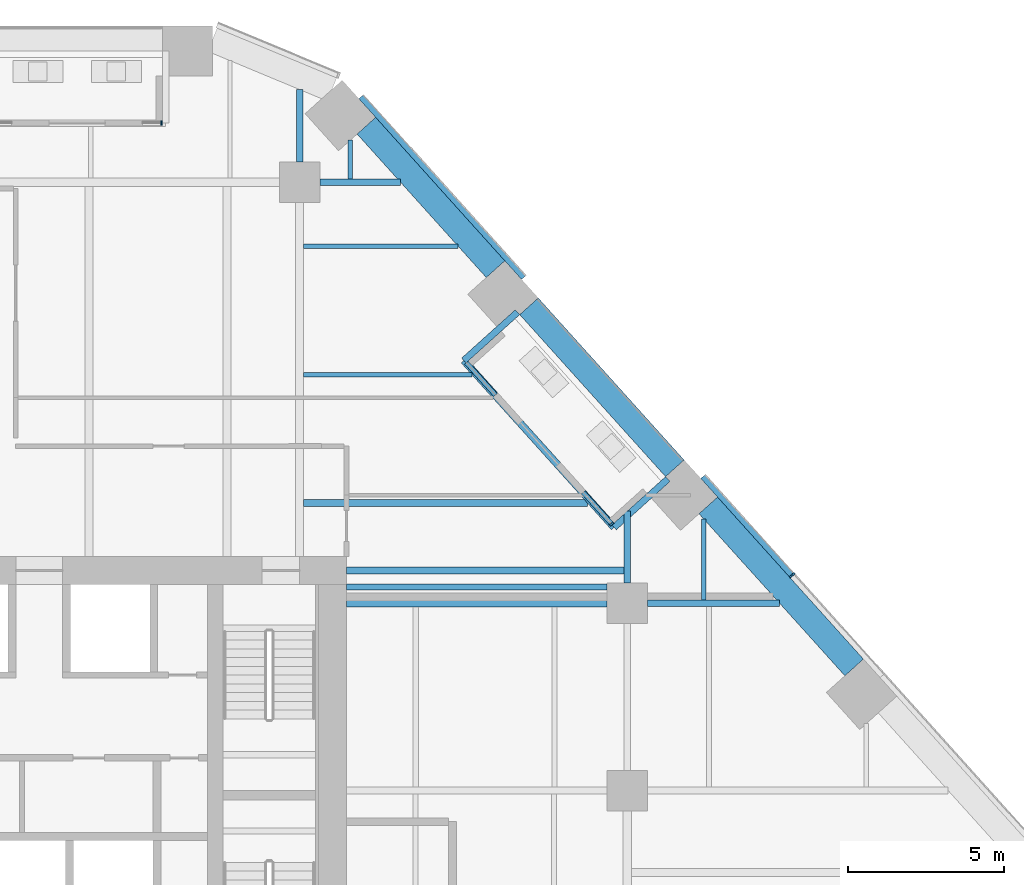
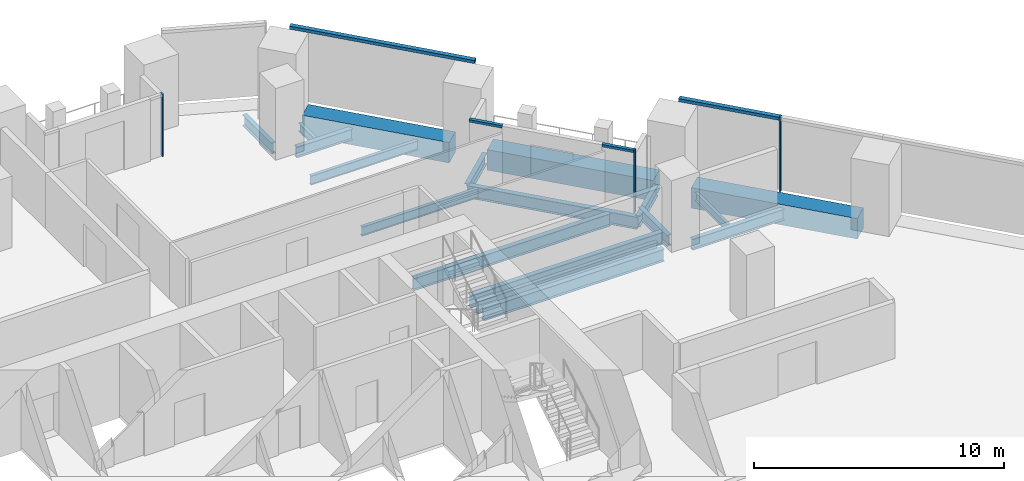
# One storey, part 12 of 28: 18 beams, 7 members, 3 elements without a shape of their own.
"""IFC4 building model written with IfcOpenShell, lengths in metres."""

from ifc_helpers import new_model, si_unit, direction, frame, origin, origin_2d, place, context, subcontext, project, spatial, rectangle, i_section, extrude, material, layer, layer_set, material_profile, profile_set, type_object, element, aggregate, save


model = new_model("IFC4")

# Units and contexts
model_context = context("Model", 3, precision=1e-05, world=origin(), true_north=direction((0.0, 1.0)))
body_context = subcontext(model_context, "Body", "Model", "MODEL_VIEW")
ifc_project = project(units=[si_unit("LENGTHUNIT", "METRE"), si_unit("AREAUNIT", "SQUARE_METRE"), si_unit("VOLUMEUNIT", "CUBIC_METRE"), si_unit("PLANEANGLEUNIT", "RADIAN"), si_unit("MASSUNIT", "GRAM", prefix="KILO")], contexts=[model_context])

# Site, building, storey
site_placement = place(None, origin())
site = spatial("IfcSite", under=ifc_project, at=site_placement, CompositionType="ELEMENT")
building_placement = place(site_placement, origin())
building = spatial("IfcBuilding", under=site, at=building_placement, Name="Isthmus Gate Tower", CompositionType="ELEMENT")
storey_placement = place(building_placement, frame((0.0, 0.0, 84.300048828125)))
storey = spatial("IfcBuildingStorey", under=building, at=storey_placement, Name="L19", CompositionType="ELEMENT", Elevation=84.300048828125)

# Curtain wall, members
ifc_material_1 = material(Name="Aluminium, pale champagne anodised", Category="aluminium")
ifc_layer_1 = layer(ifc_material_1, 0.199951171875)
ifc_layer_set_1 = layer_set([ifc_layer_1], Name="CW-1 UNITISED CURTAIN WALL 200 DEEP")
curtain_wall_type_1 = type_object("IfcCurtainWallType", Name="CW-1 UNITISED CURTAIN WALL 200 DEEP", PredefinedType="NOTDEFINED", material=ifc_layer_set_1)
curtain_wall_1_placement = place(storey_placement, origin())
curtain_wall_1 = element("IfcCurtainWall", 1, at=curtain_wall_1_placement, inside=storey, type_object=curtain_wall_type_1, Name="CW-1 NE L19", PredefinedType="NOTDEFINED")
ifc_material_2 = material(Name="Aluminium, pale champagne anodised", Category="aluminium")
ifc_material_profile_1 = material_profile(ifc_material_2, rectangle(XDim=0.06005859375, YDim=0.199951171875, at=origin_2d()), Name="60x200")
ifc_profile_set_1 = profile_set([ifc_material_profile_1], Name="Aluminium, pale champagne anodised")
member_type_1 = type_object("IfcMemberType", Name="CW-1 MULLION 60 X 200", PredefinedType="MULLION", material=ifc_profile_set_1)
member_1_placement = place(storey_placement, frame((29.287841796875, 14.400146484375, 0.0), z_axis=(0.0, 0.0, 1.0), x_axis=(-0.669130606359, 0.743144825477, 0.0)))
member_1 = element("IfcMember", 2, at=member_1_placement, type_object=member_type_1, Name="CW-1 mullion", PredefinedType="MULLION", context=body_context, shape_type="SweptSolid", body=[
    extrude(rectangle(XDim=0.06005859375, YDim=0.199951171875, at=origin_2d()), origin(), (0.0, 0.0, 1.0), 3.64990234375),
])
ifc_material_3 = material(Name="Aluminium, pale champagne anodised", Category="aluminium")
ifc_material_profile_2 = material_profile(ifc_material_3, rectangle(XDim=0.199951171875, YDim=0.14990234375, at=origin_2d()), Name="200x150")
ifc_profile_set_2 = profile_set([ifc_material_profile_2], Name="Aluminium, pale champagne anodised")
member_type_2 = type_object("IfcMemberType", Name="CW-1 TRANSOM 200 X 150", PredefinedType="USERDEFINED", material=ifc_profile_set_2)
member_2_placement = place(storey_placement, frame((29.267822265625, 14.422607421875, 3.574951171875), z_axis=(-0.669123979474, 0.743150792298, 0.0), x_axis=(-0.743150792298, -0.669123979474, 0.0)))
member_2 = element("IfcMember", 3, at=member_2_placement, type_object=member_type_2, Name="CW-1 transom", ObjectType="TRANSOM", PredefinedType="USERDEFINED", context=body_context, shape_type="SweptSolid", body=[
    extrude(rectangle(XDim=0.199951171875, YDim=0.14990234375, at=origin_2d()), origin(), (0.0, 0.0, 1.0), 4.234619140625),
])
member_3_placement = place(storey_placement, frame((20.686767578125, 23.95263671875, 3.574951171875), z_axis=(-0.669137878224, 0.743138277797, 0.0), x_axis=(-0.743138277797, -0.669137878224, 0.0)))
member_3 = element("IfcMember", 4, at=member_3_placement, type_object=member_type_2, Name="CW-1 transom", ObjectType="TRANSOM", PredefinedType="USERDEFINED", context=body_context, shape_type="SweptSolid", body=[
    extrude(rectangle(XDim=0.199951171875, YDim=0.14990234375, at=origin_2d()), origin(), (0.0, 0.0, 1.0), 7.789306640625),
])
aggregate(curtain_wall_1, [member_1, member_2, member_3])

# Curtain wall, member
ifc_material_4 = material(Name="Aluminium, pale champagne anodised", Category="aluminium")
ifc_layer_2 = layer(ifc_material_4, 0.14990234375)
ifc_layer_set_2 = layer_set([ifc_layer_2], Name="CW-6 LOGGIA BACK WALL GLAZING 150 DEEP")
curtain_wall_type_2 = type_object("IfcCurtainWallType", Name="CW-6 LOGGIA BACK WALL GLAZING 150 DEEP", PredefinedType="NOTDEFINED", material=ifc_layer_set_2)
curtain_wall_2_placement = place(storey_placement, origin())
curtain_wall_2 = element("IfcCurtainWall", 5, at=curtain_wall_2_placement, inside=storey, type_object=curtain_wall_type_2, Name="CW-6 N L19", PredefinedType="NOTDEFINED")
ifc_material_5 = material(Name="Aluminium, pale champagne anodised", Category="aluminium")
ifc_material_profile_3 = material_profile(ifc_material_5, rectangle(XDim=0.06005859375, YDim=0.14990234375, at=origin_2d()), Name="60x150")
ifc_profile_set_3 = profile_set([ifc_material_profile_3], Name="Aluminium, pale champagne anodised")
member_type_3 = type_object("IfcMemberType", Name="CW-6 MULLION 60 X 150", PredefinedType="MULLION", material=ifc_profile_set_3)
member_4_placement = place(storey_placement, frame((9.07177734375, 28.89990234375, 0.0), z_axis=(0.0, 0.0, 1.0), x_axis=(-1.0, 0.0, 0.0)))
member_4 = element("IfcMember", 6, at=member_4_placement, type_object=member_type_3, Name="CW-6 mullion", PredefinedType="MULLION", context=body_context, shape_type="SweptSolid", body=[
    extrude(rectangle(XDim=0.06005859375, YDim=0.14990234375, at=origin_2d()), origin(), (0.0, 0.0, 1.0), 3.050048828125),
])
aggregate(curtain_wall_2, [member_4])

# Curtain wall, members
curtain_wall_3_placement = place(storey_placement, origin())
curtain_wall_3 = element("IfcCurtainWall", 7, at=curtain_wall_3_placement, inside=storey, type_object=curtain_wall_type_2, Name="CW-6 NE L19", PredefinedType="NOTDEFINED")
member_5_placement = place(storey_placement, frame((23.500732421875, 16.045166015625, 0.0), z_axis=(0.0, 0.0, 1.0), x_axis=(-0.669130606359, 0.743144825477, 0.0)))
member_5 = element("IfcMember", 8, at=member_5_placement, type_object=member_type_3, Name="CW-6 mullion", PredefinedType="MULLION", context=body_context, shape_type="SweptSolid", body=[
    extrude(rectangle(XDim=0.06005859375, YDim=0.14990234375, at=origin_2d()), origin(), (0.0, 0.0, 1.0), 3.050048828125),
])
ifc_material_6 = material(Name="Aluminium, pale champagne anodised", Category="aluminium")
ifc_material_profile_4 = material_profile(ifc_material_6, rectangle(XDim=0.14990234375, YDim=0.1201171875, at=origin_2d()), Name="150x120")
ifc_profile_set_4 = profile_set([ifc_material_profile_4], Name="Aluminium, pale champagne anodised")
member_type_4 = type_object("IfcMemberType", Name="CW-6 TRANSOM 150 X 120", PredefinedType="USERDEFINED", material=ifc_profile_set_4)
member_6_placement = place(storey_placement, frame((23.480712890625, 16.0673828125, 2.989990234375), z_axis=(-0.669096095218, 0.743175897997, 0.0), x_axis=(-0.743175897997, -0.669096095218, 0.0)))
member_6 = element("IfcMember", 9, at=member_6_placement, type_object=member_type_4, Name="CW-6 transom", ObjectType="TRANSOM", PredefinedType="USERDEFINED", context=body_context, shape_type="SweptSolid", body=[
    extrude(rectangle(XDim=0.14990234375, YDim=0.1201171875, at=origin_2d()), origin(), (0.0, 0.0, 1.0), 1.334716796875),
])
member_7_placement = place(storey_placement, frame((19.77734375, 20.180419921875, 2.989990234375), z_axis=(-0.669206474504, 0.743076506479, 0.0), x_axis=(-0.743076506479, -0.669206474504, 0.0)))
member_7 = element("IfcMember", 10, at=member_7_placement, type_object=member_type_4, Name="CW-6 transom", ObjectType="TRANSOM", PredefinedType="USERDEFINED", context=body_context, shape_type="SweptSolid", body=[
    extrude(rectangle(XDim=0.14990234375, YDim=0.1201171875, at=origin_2d()), origin(), (0.0, 0.0, 1.0), 1.394775390625),
])
aggregate(curtain_wall_3, [member_5, member_6, member_7])

# Beams
ifc_material_7 = material(Name="Concrete f'c 70 MPa", Category="concrete")
ifc_material_profile_5 = material_profile(ifc_material_7, rectangle(XDim=0.800048828125, YDim=1.0, at=origin_2d()), Name="RC 800X1000")
ifc_profile_set_5 = profile_set([ifc_material_profile_5], Name="Concrete f'c 70 MPa")
beam_type_1 = type_object("IfcBeamType", Name="RC SPANDREL 800 X 1000", PredefinedType="SPANDREL", material=ifc_profile_set_5)
beam_1_placement = place(storey_placement, frame((15.638427734375, 28.812255859375, -0.5), z_axis=(0.669139054219, -0.743137218903, 0.0), x_axis=(0.743137218903, 0.669139054219, 0.0)))
element("IfcBeam", 11, at=beam_1_placement, inside=storey, type_object=beam_type_1, Name="str-spandrel-L19-01", PredefinedType="SPANDREL", context=body_context, shape_type="SweptSolid", body=[
    extrude(rectangle(XDim=0.800048828125, YDim=1.0, at=origin_2d()), origin(), (0.0, 0.0, 1.0), 6.189453125),
])
for number, where, z_axis, x_axis, name in (
    (12, (20.8505859375, 23.0234375, -0.5), (0.669128753615, -0.743146493691, 0.0), (0.743146493691, 0.669128753615, 0.0), "str-spandrel-L19-02"),
    (13, (26.597900390625, 16.640380859375, -0.5), (0.669128753615, -0.743146493691, 0.0), (0.743146493691, 0.669128753615, 0.0), "str-spandrel-L19-03"),
):
    element("IfcBeam", number, at=place(storey_placement, frame(where, z_axis=z_axis, x_axis=x_axis)), inside=storey, type_object=beam_type_1, Name=name, PredefinedType="SPANDREL", context=body_context, shape_type="SweptSolid", body=[
        extrude(rectangle(XDim=0.800048828125, YDim=1.0, at=origin_2d()), origin(), (0.0, 0.0, 1.0), 6.9892578125),
    ])
ifc_material_8 = material(Name="Structural steel ASTM A992 Gr 50", Category="steel")
ifc_material_profile_6 = material_profile(ifc_material_8, i_section(OverallWidth=0.1396484375, OverallDepth=0.4033203125, WebThickness=0.00634765625, FlangeThickness=0.010986328125, at=origin_2d()), Name="W16X31")
ifc_profile_set_6 = profile_set([ifc_material_profile_6], Name="Structural steel ASTM A992 Gr 50")
beam_type_2 = type_object("IfcBeamType", Name="STEEL FLOOR BEAM W16X31", PredefinedType="JOIST", material=ifc_profile_set_6)
beam_2_placement = place(storey_placement, frame((15.12109375, 27.104736328125, -0.3515625), z_axis=(0.0, 1.0, 0.0), x_axis=(-1.0, 0.0, 0.0)))
element("IfcBeam", 14, at=beam_2_placement, inside=storey, type_object=beam_type_2, Name="str-beam-L19-29-00", PredefinedType="JOIST", context=body_context, shape_type="SweptSolid", body=[
    extrude(i_section(OverallWidth=0.1396484375, OverallDepth=0.4033203125, WebThickness=0.00634765625, FlangeThickness=0.010986328125, at=origin_2d()), origin(), (0.0, 0.0, 1.0), 1.24169921875),
])
beam_3_placement = place(storey_placement, frame((26.448974609375, 13.604736328125, -0.3515625), z_axis=(0.0, 1.0, 0.0), x_axis=(-1.0, 0.0, 0.0)))
element("IfcBeam", 15, at=beam_3_placement, inside=storey, type_object=beam_type_2, Name="str-beam-L19-37-00", PredefinedType="JOIST", context=body_context, shape_type="SweptSolid", body=[
    extrude(i_section(OverallWidth=0.1396484375, OverallDepth=0.4033203125, WebThickness=0.00634765625, FlangeThickness=0.010986328125, at=origin_2d()), origin(), (0.0, 0.0, 1.0), 2.603515625),
])
ifc_material_9 = material(Name="Structural steel ASTM A992 Gr 50", Category="steel")
ifc_material_profile_7 = material_profile(ifc_material_9, i_section(OverallWidth=0.15234375, OverallDepth=0.45068359375, WebThickness=0.0078125, FlangeThickness=0.010986328125, at=origin_2d()), Name="W18X35")
ifc_profile_set_7 = profile_set([ifc_material_profile_7], Name="Structural steel ASTM A992 Gr 50")
beam_type_3 = type_object("IfcBeamType", Name="STEEL FLOOR BEAM W18X35", PredefinedType="JOIST", material=ifc_profile_set_7)
beam_4_placement = place(storey_placement, frame((13.626953125, 20.83203125, -0.37548828125), z_axis=(1.0, 0.0, 0.0), x_axis=(0.0, 1.0, 0.0)))
element("IfcBeam", 16, at=beam_4_placement, inside=storey, type_object=beam_type_3, Name="str-beam-L19-30-01", PredefinedType="JOIST", context=body_context, shape_type="SweptSolid", body=[
    extrude(i_section(OverallWidth=0.15234375, OverallDepth=0.45068359375, WebThickness=0.0078125, FlangeThickness=0.010986328125, at=origin_2d()), origin(), (0.0, 0.0, 1.0), 5.390380859375),
])
beam_5_placement = place(storey_placement, frame((13.626953125, 24.944091796875, -0.37548828125), z_axis=(1.0, 0.0, 0.0), x_axis=(0.0, 1.0, 0.0)))
element("IfcBeam", 17, at=beam_5_placement, inside=storey, type_object=beam_type_3, Name="str-beam-L19-30-02", PredefinedType="JOIST", context=body_context, shape_type="SweptSolid", body=[
    extrude(i_section(OverallWidth=0.15234375, OverallDepth=0.45068359375, WebThickness=0.0078125, FlangeThickness=0.010986328125, at=origin_2d()), origin(), (0.0, 0.0, 1.0), 4.9560546875),
])
ifc_material_10 = material(Name="Structural steel ASTM A992 Gr 50", Category="steel")
ifc_material_profile_8 = material_profile(ifc_material_10, i_section(OverallWidth=0.177734375, OverallDepth=0.60009765625, WebThickness=0.009521484375, FlangeThickness=0.0126953125, at=origin_2d()), Name="W24X55")
ifc_profile_set_8 = profile_set([ifc_material_profile_8], Name="Structural steel ASTM A992 Gr 50")
beam_type_4 = type_object("IfcBeamType", Name="STEEL FLOOR BEAM W24X55", PredefinedType="JOIST", material=ifc_profile_set_8)
beam_6_placement = place(storey_placement, frame((15.0, 14.02490234375, -0.4501953125), z_axis=(1.0, 0.0, 0.0), x_axis=(0.0, 1.0, 0.0)))
element("IfcBeam", 18, at=beam_6_placement, inside=storey, type_object=beam_type_4, Name="str-beam-L19-33-00", PredefinedType="JOIST", context=body_context, shape_type="SweptSolid", body=[
    extrude(i_section(OverallWidth=0.177734375, OverallDepth=0.60009765625, WebThickness=0.009521484375, FlangeThickness=0.0126953125, at=origin_2d()), origin(), (0.0, 0.0, 1.0), 8.35009765625),
])
ifc_material_11 = material(Name="Structural steel ASTM A992 Gr 50", Category="steel")
ifc_material_profile_9 = material_profile(ifc_material_11, i_section(OverallWidth=0.228515625, OverallDepth=0.603271484375, WebThickness=0.010986328125, FlangeThickness=0.014404296875, at=origin_2d()), Name="W24X68")
ifc_profile_set_9 = profile_set([ifc_material_profile_9], Name="Structural steel ASTM A992 Gr 50")
beam_type_5 = type_object("IfcBeamType", Name="STEEL FLOOR BEAM W24X68", PredefinedType="JOIST", material=ifc_profile_set_9)
beam_7_placement = place(storey_placement, frame((13.626953125, 16.72021484375, -0.45166015625), z_axis=(1.0, 0.0, 0.0), x_axis=(0.0, 1.0, 0.0)))
element("IfcBeam", 19, at=beam_7_placement, inside=storey, type_object=beam_type_5, Name="str-beam-L19-30-00", PredefinedType="JOIST", context=body_context, shape_type="SweptSolid", body=[
    extrude(i_section(OverallWidth=0.228515625, OverallDepth=0.603271484375, WebThickness=0.010986328125, FlangeThickness=0.014404296875, at=origin_2d()), origin(), (0.0, 0.0, 1.0), 9.0927734375),
])
ifc_material_12 = material(Name="Structural steel ASTM A992 Gr 50", Category="steel")
ifc_material_profile_10 = material_profile(ifc_material_12, i_section(OverallWidth=0.20947265625, OverallDepth=0.533447265625, WebThickness=0.009521484375, FlangeThickness=0.015869140625, at=origin_2d()), Name="W21X62")
ifc_profile_set_10 = profile_set([ifc_material_profile_10], Name="Structural steel ASTM A992 Gr 50")
beam_type_6 = type_object("IfcBeamType", Name="STEEL GIRDER W21X62", PredefinedType="BEAM", material=ifc_profile_set_10)
beam_8_placement = place(storey_placement, frame((24.64990234375, 13.5, -0.416748046875), z_axis=(1.0, 0.0, 0.0), x_axis=(0.0, 1.0, 0.0)))
element("IfcBeam", 20, at=beam_8_placement, inside=storey, type_object=beam_type_6, Name="str-girder-L19-16", PredefinedType="BEAM", context=body_context, shape_type="SweptSolid", body=[
    extrude(i_section(OverallWidth=0.20947265625, OverallDepth=0.533447265625, WebThickness=0.009521484375, FlangeThickness=0.015869140625, at=origin_2d()), origin(), (0.0, 0.0, 1.0), 4.2373046875),
])
beam_9_placement = place(storey_placement, frame((14.14990234375, 27.0, -0.416748046875), z_axis=(1.0, 0.0, 0.0), x_axis=(0.0, 1.0, 0.0)))
element("IfcBeam", 21, at=beam_9_placement, inside=storey, type_object=beam_type_6, Name="str-girder-L19-20", PredefinedType="BEAM", context=body_context, shape_type="SweptSolid", body=[
    extrude(i_section(OverallWidth=0.20947265625, OverallDepth=0.533447265625, WebThickness=0.009521484375, FlangeThickness=0.015869140625, at=origin_2d()), origin(), (0.0, 0.0, 1.0), 2.58203125),
])
beam_10_placement = place(storey_placement, frame((13.5, 27.64990234375, -0.416748046875), z_axis=(0.0, 1.0, 0.0), x_axis=(-1.0, 0.0, 0.0)))
element("IfcBeam", 22, at=beam_10_placement, inside=storey, type_object=beam_type_6, Name="str-girder-L19-35", PredefinedType="BEAM", context=body_context, shape_type="SweptSolid", body=[
    extrude(i_section(OverallWidth=0.20947265625, OverallDepth=0.533447265625, WebThickness=0.009521484375, FlangeThickness=0.015869140625, at=origin_2d()), origin(), (0.0, 0.0, 1.0), 2.320068359375),
])
beam_11_placement = place(storey_placement, frame((24.0, 14.14990234375, -0.416748046875), z_axis=(0.0, 1.0, 0.0), x_axis=(-1.0, 0.0, 0.0)))
element("IfcBeam", 23, at=beam_11_placement, inside=storey, type_object=beam_type_6, Name="str-girder-L19-38", PredefinedType="BEAM", context=body_context, shape_type="SweptSolid", body=[
    extrude(i_section(OverallWidth=0.20947265625, OverallDepth=0.533447265625, WebThickness=0.009521484375, FlangeThickness=0.015869140625, at=origin_2d()), origin(), (0.0, 0.0, 1.0), 2.30419921875),
])
ifc_material_13 = material(Name="Structural steel ASTM A992 Gr 50", Category="steel")
ifc_material_profile_11 = material_profile(ifc_material_13, i_section(OverallWidth=0.228515625, OverallDepth=0.6064453125, WebThickness=0.010986328125, FlangeThickness=0.017578125, at=origin_2d()), Name="W24X76")
ifc_profile_set_11 = profile_set([ifc_material_profile_11], Name="Structural steel ASTM A992 Gr 50")
beam_type_7 = type_object("IfcBeamType", Name="STEEL GIRDER W24X76", PredefinedType="BEAM", material=ifc_profile_set_11)
beam_12_placement = place(storey_placement, frame((15.0, 13.5, -0.453369140625), z_axis=(1.0, 0.0, 0.0), x_axis=(0.0, 1.0, 0.0)))
element("IfcBeam", 24, at=beam_12_placement, inside=storey, type_object=beam_type_7, Name="str-girder-L19-15", PredefinedType="BEAM", context=body_context, shape_type="SweptSolid", body=[
    extrude(i_section(OverallWidth=0.228515625, OverallDepth=0.6064453125, WebThickness=0.010986328125, FlangeThickness=0.017578125, at=origin_2d()), origin(), (0.0, 0.0, 1.0), 8.35009765625),
])
beam_13_placement = place(storey_placement, frame((15.0, 14.550048828125, -0.453369140625), z_axis=(1.0, 0.0, 0.0), x_axis=(0.0, 1.0, 0.0)))
element("IfcBeam", 25, at=beam_13_placement, inside=storey, type_object=beam_type_7, Name="str-girder-L19-42", PredefinedType="BEAM", context=body_context, shape_type="SweptSolid", body=[
    extrude(i_section(OverallWidth=0.228515625, OverallDepth=0.6064453125, WebThickness=0.010986328125, FlangeThickness=0.017578125, at=origin_2d()), origin(), (0.0, 0.0, 1.0), 8.895263671875),
])
ifc_material_14 = material(Name="Structural steel ASTM A992 Gr 50", Category="steel")
ifc_material_profile_12 = material_profile(ifc_material_14, i_section(OverallWidth=0.20947265625, OverallDepth=0.533447265625, WebThickness=0.009521484375, FlangeThickness=0.015869140625, at=origin_2d()), Name="W21X62")
ifc_profile_set_12 = profile_set([ifc_material_profile_12], Name="Structural steel ASTM A992 Gr 50")
beam_type_8 = type_object("IfcBeamType", Name="STEEL TRIMMER W21X62", PredefinedType="BEAM", material=ifc_profile_set_12)
for number, where, z_axis, x_axis, name in (
    (26, (25.300048828125, 17.48388671875, -0.416748046875), (-0.74311576701, -0.669162877647, 0.0), (0.669162877647, -0.74311576701, 0.0), "str-loggiatrim-L19-06-A"),
    (27, (20.483154296875, 22.833740234375, -0.416748046875), (-0.74311576701, -0.669162877647, 0.0), (0.669162877647, -0.74311576701, 0.0), "str-loggiatrim-L19-06-C"),
):
    element("IfcBeam", number, at=place(storey_placement, frame(where, z_axis=z_axis, x_axis=x_axis)), inside=storey, type_object=beam_type_8, Name=name, PredefinedType="BEAM", context=body_context, shape_type="SweptSolid", body=[
        extrude(i_section(OverallWidth=0.20947265625, OverallDepth=0.533447265625, WebThickness=0.009521484375, FlangeThickness=0.015869140625, at=origin_2d()), origin(), (0.0, 0.0, 1.0), 2.314208984375),
    ])
ifc_material_15 = material(Name="Structural steel ASTM A992 Gr 50", Category="steel")
ifc_material_profile_13 = material_profile(ifc_material_15, i_section(OverallWidth=0.228515625, OverallDepth=0.603271484375, WebThickness=0.010986328125, FlangeThickness=0.014404296875, at=origin_2d()), Name="W24X68")
ifc_profile_set_13 = profile_set([ifc_material_profile_13], Name="Structural steel ASTM A992 Gr 50")
beam_type_9 = type_object("IfcBeamType", Name="STEEL TRIMMER W24X68", PredefinedType="BEAM", material=ifc_profile_set_13)
beam_14_placement = place(storey_placement, frame((23.580322265625, 15.935302734375, -0.45166015625), z_axis=(-0.669120233524, 0.743154165089, 0.0), x_axis=(-0.743154165089, -0.669120233524, 0.0)))
element("IfcBeam", 28, at=beam_14_placement, inside=storey, type_object=beam_type_9, Name="str-loggiatrim-L19-06-B", PredefinedType="BEAM", context=body_context, shape_type="SweptSolid", body=[
    extrude(i_section(OverallWidth=0.228515625, OverallDepth=0.603271484375, WebThickness=0.010986328125, FlangeThickness=0.014404296875, at=origin_2d()), origin(), (0.0, 0.0, 1.0), 7.19873046875),
])

save(model, "model.ifc")
